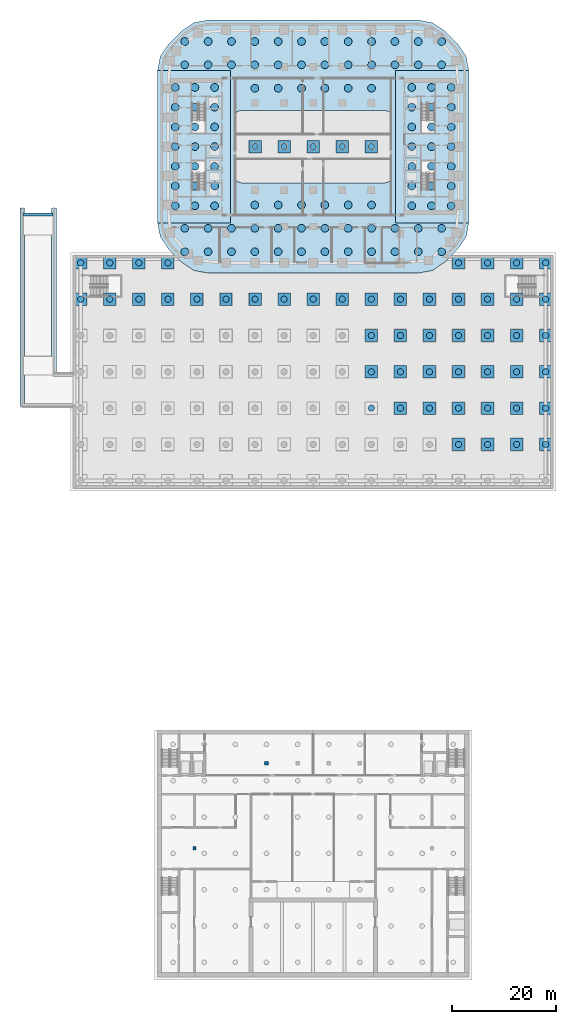
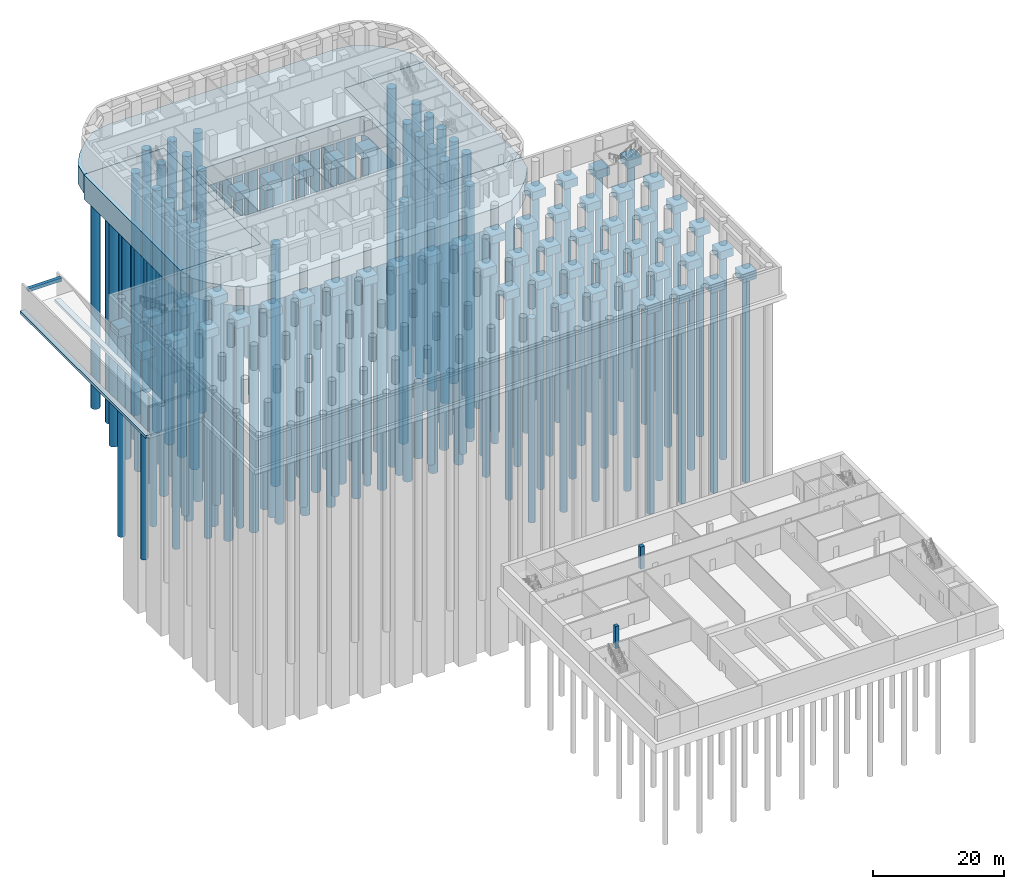
# One storey, part 2 of 23: 157 piles, 60 footings, 2 columns.
"""IFC4 building model written with IfcOpenShell, lengths in metres."""

from ifc_helpers import new_model, si_unit, direction, frame, origin, origin_2d, place, context, subcontext, project, spatial, polyline, rectangle, circle, outline, extrude, material, layer, layer_set, material_profile, profile_set, type_object, element, save


model = new_model("IFC4")

# Units and contexts
model_context = context("Model", 3, precision=1e-05, world=origin(), true_north=direction((0.0, 1.0)))
body_context = subcontext(model_context, "Body", "Model", "MODEL_VIEW")
ifc_project = project(units=[si_unit("LENGTHUNIT", "METRE"), si_unit("AREAUNIT", "SQUARE_METRE"), si_unit("VOLUMEUNIT", "CUBIC_METRE"), si_unit("PLANEANGLEUNIT", "RADIAN"), si_unit("MASSUNIT", "GRAM", prefix="KILO")], contexts=[model_context])

# Site, building, storey
site_placement = place(None, origin())
site = spatial("IfcSite", under=ifc_project, at=site_placement, CompositionType="ELEMENT")
building_placement = place(site_placement, origin())
building = spatial("IfcBuilding", under=site, at=building_placement, Name="Kiln Ring Residences", CompositionType="ELEMENT")
storey_placement = place(building_placement, frame((0.0, 0.0, -4.5)))
storey = spatial("IfcBuildingStorey", under=building, at=storey_placement, Name="B1", CompositionType="ELEMENT", Elevation=-4.5)

# Piles
ifc_material_1 = material(Name="Concrete C40/50", Category="concrete")
ifc_material_profile_1 = material_profile(ifc_material_1, circle(Radius=0.60009765625, at=origin_2d()), Name="BORED1200")
ifc_profile_set_1 = profile_set([ifc_material_profile_1], Name="Concrete C40/50")
pile_type_1 = type_object("IfcPileType", Name="Bored pile D1200 C40/50", PredefinedType="BORED", material=ifc_profile_set_1)
for number, where, z_axis, x_axis, name in (
    (1, (-44.800048828125, -29.39990234375, -1.85009765625), (0.0, 0.0, -1.0), (1.0, 0.0, 0.0), "Bored pile B1 103"),
    (2, (-39.199951171875, -29.39990234375, -1.85009765625), (0.0, 0.0, -1.0), (1.0, 0.0, 0.0), "Bored pile B1 104"),
    (3, (-33.60009765625, -29.39990234375, -1.85009765625), (0.0, 0.0, -1.0), (1.0, 0.0, 0.0), "Bored pile B1 105"),
    (4, (-28.0, -29.39990234375, -1.85009765625), (0.0, 0.0, -1.0), (1.0, 0.0, 0.0), "Bored pile B1 106"),
    (5, (-22.39990234375, -29.39990234375, -1.85009765625), (0.0, 0.0, -1.0), (1.0, 0.0, 0.0), "Bored pile B1 107"),
    (6, (-16.800048828125, -29.39990234375, -1.85009765625), (0.0, 0.0, -1.0), (1.0, 0.0, 0.0), "Bored pile B1 108"),
    (7, (-11.199951171875, -29.39990234375, -1.85009765625), (0.0, 0.0, -1.0), (1.0, 0.0, 0.0), "Bored pile B1 109"),
    (8, (-5.60009765625, -29.39990234375, -1.85009765625), (0.0, 0.0, -1.0), (1.0, 0.0, 0.0), "Bored pile B1 110"),
    (9, (0.0, -29.39990234375, -1.85009765625), (0.0, 0.0, -1.0), (1.0, 0.0, 0.0), "Bored pile B1 111"),
    (10, (5.60009765625, -29.39990234375, -1.85009765625), (0.0, 0.0, -1.0), (1.0, 0.0, 0.0), "Bored pile B1 112"),
    (11, (11.199951171875, -29.39990234375, -1.85009765625), (0.0, 0.0, -1.0), (1.0, 0.0, 0.0), "Bored pile B1 113"),
    (12, (16.800048828125, -29.39990234375, -1.85009765625), (0.0, 0.0, -1.0), (1.0, 0.0, 0.0), "Bored pile B1 114"),
    (13, (22.39990234375, -29.39990234375, -1.85009765625), (0.0, 0.0, -1.0), (1.0, 0.0, 0.0), "Bored pile B1 115"),
    (14, (28.0, -29.39990234375, -1.85009765625), (0.0, 0.0, -1.0), (1.0, 0.0, 0.0), "Bored pile B1 116"),
    (15, (33.60009765625, -29.39990234375, -1.85009765625), (0.0, 0.0, -1.0), (1.0, 0.0, 0.0), "Bored pile B1 117"),
    (16, (39.199951171875, -29.39990234375, -1.85009765625), (0.0, 0.0, -1.0), (1.0, 0.0, 0.0), "Bored pile B1 118"),
    (17, (44.800048828125, -29.39990234375, -1.85009765625), (0.0, 0.0, -1.0), (1.0, 0.0, 0.0), "Bored pile B1 119"),
    (18, (11.199951171875, -36.39990234375, -1.85009765625), (0.0, 0.0, -1.0), (1.0, 0.0, 0.0), "Bored pile B1 130"),
    (19, (16.800048828125, -36.39990234375, -1.85009765625), (0.0, 0.0, -1.0), (1.0, 0.0, 0.0), "Bored pile B1 131"),
    (20, (22.39990234375, -36.39990234375, -1.85009765625), (0.0, 0.0, -1.0), (1.0, 0.0, 0.0), "Bored pile B1 132"),
    (21, (28.0, -36.39990234375, -1.85009765625), (0.0, 0.0, -1.0), (1.0, 0.0, 0.0), "Bored pile B1 133"),
    (22, (33.60009765625, -36.39990234375, -1.85009765625), (0.0, 0.0, -1.0), (1.0, 0.0, 0.0), "Bored pile B1 134"),
    (23, (39.199951171875, -36.39990234375, -1.85009765625), (0.0, 0.0, -1.0), (1.0, 0.0, 0.0), "Bored pile B1 135"),
    (24, (44.800048828125, -36.39990234375, -1.85009765625), (0.0, 0.0, -1.0), (1.0, 0.0, 0.0), "Bored pile B1 136"),
    (25, (11.199951171875, -43.39990234375, -1.85009765625), (0.0, 0.0, -1.0), (1.0, 0.0, 0.0), "Bored pile B1 147"),
    (26, (16.800048828125, -43.39990234375, -1.85009765625), (0.0, 0.0, -1.0), (1.0, 0.0, 0.0), "Bored pile B1 148"),
    (27, (22.39990234375, -43.39990234375, -1.85009765625), (0.0, 0.0, -1.0), (1.0, 0.0, 0.0), "Bored pile B1 149"),
    (28, (28.0, -43.39990234375, -1.85009765625), (0.0, 0.0, -1.0), (1.0, 0.0, 0.0), "Bored pile B1 150"),
    (29, (33.60009765625, -43.39990234375, -1.85009765625), (0.0, 0.0, -1.0), (1.0, 0.0, 0.0), "Bored pile B1 151"),
    (30, (39.199951171875, -43.39990234375, -1.85009765625), (0.0, 0.0, -1.0), (1.0, 0.0, 0.0), "Bored pile B1 152"),
    (31, (44.800048828125, -43.39990234375, -1.85009765625), (0.0, 0.0, -1.0), (1.0, 0.0, 0.0), "Bored pile B1 153"),
    (32, (11.199951171875, -50.39990234375, -1.85009765625), (0.0, 0.0, -1.0), (1.0, 0.0, 0.0), "Bored pile B1 164"),
    (33, (16.800048828125, -50.39990234375, -1.85009765625), (0.0, 0.0, -1.0), (1.0, 0.0, 0.0), "Bored pile B1 165"),
    (34, (22.39990234375, -50.39990234375, -1.85009765625), (0.0, 0.0, -1.0), (1.0, 0.0, 0.0), "Bored pile B1 166"),
    (35, (28.0, -50.39990234375, -1.85009765625), (0.0, 0.0, -1.0), (1.0, 0.0, 0.0), "Bored pile B1 167"),
    (36, (33.60009765625, -50.39990234375, -1.85009765625), (0.0, 0.0, -1.0), (1.0, 0.0, 0.0), "Bored pile B1 168"),
    (37, (39.199951171875, -50.39990234375, -1.85009765625), (0.0, 0.0, -1.0), (1.0, 0.0, 0.0), "Bored pile B1 169"),
    (38, (44.800048828125, -50.39990234375, -1.85009765625), (0.0, 0.0, -1.0), (1.0, 0.0, 0.0), "Bored pile B1 170"),
    (39, (28.0, -57.39990234375, -1.85009765625), (0.0, 0.0, -1.0), (1.0, 0.0, 0.0), "Bored pile B1 184"),
    (40, (33.60009765625, -57.39990234375, -1.85009765625), (0.0, 0.0, -1.0), (1.0, 0.0, 0.0), "Bored pile B1 185"),
    (41, (39.199951171875, -57.39990234375, -1.85009765625), (0.0, 0.0, -1.0), (1.0, 0.0, 0.0), "Bored pile B1 186"),
    (42, (44.800048828125, -57.39990234375, -1.85009765625), (0.0, 0.0, -1.0), (1.0, 0.0, 0.0), "Bored pile B1 187"),
    (43, (-44.800048828125, -22.39990234375, -1.85009765625), (0.0, 0.0, -1.0), (1.0, 0.0, 0.0), "Bored pile B1 205"),
    (44, (-39.199951171875, -22.39990234375, -1.85009765625), (0.0, 0.0, -1.0), (1.0, 0.0, 0.0), "Bored pile B1 206"),
    (45, (-33.60009765625, -22.39990234375, -1.85009765625), (0.0, 0.0, -1.0), (1.0, 0.0, 0.0), "Bored pile B1 207"),
    (46, (-28.0, -22.39990234375, -1.85009765625), (0.0, 0.0, -1.0), (1.0, 0.0, 0.0), "Bored pile B1 208"),
    (47, (28.0, -22.39990234375, -1.85009765625), (0.0, 0.0, -1.0), (1.0, 0.0, 0.0), "Bored pile B1 209"),
    (48, (33.60009765625, -22.39990234375, -1.85009765625), (0.0, 0.0, -1.0), (1.0, 0.0, 0.0), "Bored pile B1 210"),
    (49, (39.199951171875, -22.39990234375, -1.85009765625), (0.0, 0.0, -1.0), (1.0, 0.0, 0.0), "Bored pile B1 211"),
    (50, (44.800048828125, -22.39990234375, -1.85009765625), (0.0, 0.0, -1.0), (1.0, 0.0, 0.0), "Bored pile B1 212"),
    (51, (-11.199951171875, 0.0, -1.85009765625), (0.0, 0.0, -1.0), (1.0, 0.0, 0.0), "Bored pile B1 213"),
    (52, (-5.60009765625, 0.0, -1.85009765625), (0.0, 0.0, -1.0), (1.0, 0.0, 0.0), "Bored pile B1 214"),
    (53, (0.0, 0.0, -1.85009765625), (0.0, 0.0, -1.0), (1.0, 0.0, 0.0), "Bored pile B1 215"),
    (54, (5.60009765625, 0.0, -1.85009765625), (0.0, 0.0, -1.0), (1.0, 0.0, 0.0), "Bored pile B1 216"),
    (55, (11.199951171875, 0.0, -1.85009765625), (0.0, 0.0, -1.0), (1.0, 0.0, 0.0), "Bored pile B1 217"),
):
    element("IfcPile", number, at=place(storey_placement, frame(where, z_axis=z_axis, x_axis=x_axis)), inside=storey, type_object=pile_type_1, Name=name, PredefinedType="BORED", context=body_context, shape_type="SweptSolid", body=[
        extrude(circle(Radius=0.60009765625, at=origin_2d()), origin(), (0.0, 0.0, 1.0), 38.0),
    ])
ifc_material_2 = material(Name="Concrete C40/50", Category="concrete")
ifc_material_profile_2 = material_profile(ifc_material_2, circle(Radius=0.75, at=origin_2d()), Name="BORED1500")
ifc_profile_set_2 = profile_set([ifc_material_profile_2], Name="Concrete C40/50")
pile_type_2 = type_object("IfcPileType", Name="Bored pile D1500 C40/50", PredefinedType="BORED", material=ifc_profile_set_2)
for number, where, z_axis, x_axis, name in (
    (56, (-26.60009765625, -11.39990234375, -4.85009765625), (0.0, 0.0, -1.0), (1.0, 0.0, 0.0), "Bored pile B1 1"),
    (57, (-26.60009765625, -7.60009765625, -4.85009765625), (0.0, 0.0, -1.0), (1.0, 0.0, 0.0), "Bored pile B1 2"),
    (58, (-26.60009765625, -3.800048828125, -4.85009765625), (0.0, 0.0, -1.0), (1.0, 0.0, 0.0), "Bored pile B1 3"),
    (59, (-26.60009765625, 0.0, -4.85009765625), (0.0, 0.0, -1.0), (1.0, 0.0, 0.0), "Bored pile B1 4"),
    (60, (-26.60009765625, 3.800048828125, -4.85009765625), (0.0, 0.0, -1.0), (1.0, 0.0, 0.0), "Bored pile B1 5"),
    (61, (-26.60009765625, 7.60009765625, -4.85009765625), (0.0, 0.0, -1.0), (1.0, 0.0, 0.0), "Bored pile B1 6"),
    (62, (-26.60009765625, 11.39990234375, -4.85009765625), (0.0, 0.0, -1.0), (1.0, 0.0, 0.0), "Bored pile B1 7"),
    (63, (-22.800048828125, -11.39990234375, -4.85009765625), (0.0, 0.0, -1.0), (1.0, 0.0, 0.0), "Bored pile B1 8"),
    (64, (-22.800048828125, -7.60009765625, -4.85009765625), (0.0, 0.0, -1.0), (1.0, 0.0, 0.0), "Bored pile B1 9"),
    (65, (-22.800048828125, -3.800048828125, -4.85009765625), (0.0, 0.0, -1.0), (1.0, 0.0, 0.0), "Bored pile B1 10"),
    (66, (-22.800048828125, 0.0, -4.85009765625), (0.0, 0.0, -1.0), (1.0, 0.0, 0.0), "Bored pile B1 11"),
    (67, (-22.800048828125, 3.800048828125, -4.85009765625), (0.0, 0.0, -1.0), (1.0, 0.0, 0.0), "Bored pile B1 12"),
    (68, (-22.800048828125, 7.60009765625, -4.85009765625), (0.0, 0.0, -1.0), (1.0, 0.0, 0.0), "Bored pile B1 13"),
    (69, (-22.800048828125, 11.39990234375, -4.85009765625), (0.0, 0.0, -1.0), (1.0, 0.0, 0.0), "Bored pile B1 14"),
    (70, (-19.0, -11.39990234375, -4.85009765625), (0.0, 0.0, -1.0), (1.0, 0.0, 0.0), "Bored pile B1 15"),
    (71, (-19.0, -7.60009765625, -4.85009765625), (0.0, 0.0, -1.0), (1.0, 0.0, 0.0), "Bored pile B1 16"),
    (72, (-19.0, -3.800048828125, -4.85009765625), (0.0, 0.0, -1.0), (1.0, 0.0, 0.0), "Bored pile B1 17"),
    (73, (-19.0, 0.0, -4.85009765625), (0.0, 0.0, -1.0), (1.0, 0.0, 0.0), "Bored pile B1 18"),
    (74, (-19.0, 3.800048828125, -4.85009765625), (0.0, 0.0, -1.0), (1.0, 0.0, 0.0), "Bored pile B1 19"),
    (75, (-19.0, 7.60009765625, -4.85009765625), (0.0, 0.0, -1.0), (1.0, 0.0, 0.0), "Bored pile B1 20"),
    (76, (-19.0, 11.39990234375, -4.85009765625), (0.0, 0.0, -1.0), (1.0, 0.0, 0.0), "Bored pile B1 21"),
    (77, (19.0, -11.39990234375, -4.85009765625), (0.0, 0.0, -1.0), (1.0, 0.0, 0.0), "Bored pile B1 22"),
    (78, (19.0, -7.60009765625, -4.85009765625), (0.0, 0.0, -1.0), (1.0, 0.0, 0.0), "Bored pile B1 23"),
    (79, (19.0, -3.800048828125, -4.85009765625), (0.0, 0.0, -1.0), (1.0, 0.0, 0.0), "Bored pile B1 24"),
    (80, (19.0, 0.0, -4.85009765625), (0.0, 0.0, -1.0), (1.0, 0.0, 0.0), "Bored pile B1 25"),
    (81, (19.0, 3.800048828125, -4.85009765625), (0.0, 0.0, -1.0), (1.0, 0.0, 0.0), "Bored pile B1 26"),
    (82, (19.0, 7.60009765625, -4.85009765625), (0.0, 0.0, -1.0), (1.0, 0.0, 0.0), "Bored pile B1 27"),
    (83, (19.0, 11.39990234375, -4.85009765625), (0.0, 0.0, -1.0), (1.0, 0.0, 0.0), "Bored pile B1 28"),
    (84, (22.800048828125, -11.39990234375, -4.85009765625), (0.0, 0.0, -1.0), (1.0, 0.0, 0.0), "Bored pile B1 29"),
    (85, (22.800048828125, -7.60009765625, -4.85009765625), (0.0, 0.0, -1.0), (1.0, 0.0, 0.0), "Bored pile B1 30"),
    (86, (22.800048828125, -3.800048828125, -4.85009765625), (0.0, 0.0, -1.0), (1.0, 0.0, 0.0), "Bored pile B1 31"),
    (87, (22.800048828125, 0.0, -4.85009765625), (0.0, 0.0, -1.0), (1.0, 0.0, 0.0), "Bored pile B1 32"),
    (88, (22.800048828125, 3.800048828125, -4.85009765625), (0.0, 0.0, -1.0), (1.0, 0.0, 0.0), "Bored pile B1 33"),
    (89, (22.800048828125, 7.60009765625, -4.85009765625), (0.0, 0.0, -1.0), (1.0, 0.0, 0.0), "Bored pile B1 34"),
    (90, (22.800048828125, 11.39990234375, -4.85009765625), (0.0, 0.0, -1.0), (1.0, 0.0, 0.0), "Bored pile B1 35"),
    (91, (26.60009765625, -11.39990234375, -4.85009765625), (0.0, 0.0, -1.0), (1.0, 0.0, 0.0), "Bored pile B1 36"),
    (92, (26.60009765625, -7.60009765625, -4.85009765625), (0.0, 0.0, -1.0), (1.0, 0.0, 0.0), "Bored pile B1 37"),
    (93, (26.60009765625, -3.800048828125, -4.85009765625), (0.0, 0.0, -1.0), (1.0, 0.0, 0.0), "Bored pile B1 38"),
    (94, (26.60009765625, 0.0, -4.85009765625), (0.0, 0.0, -1.0), (1.0, 0.0, 0.0), "Bored pile B1 39"),
    (95, (26.60009765625, 3.800048828125, -4.85009765625), (0.0, 0.0, -1.0), (1.0, 0.0, 0.0), "Bored pile B1 40"),
    (96, (26.60009765625, 7.60009765625, -4.85009765625), (0.0, 0.0, -1.0), (1.0, 0.0, 0.0), "Bored pile B1 41"),
    (97, (26.60009765625, 11.39990234375, -4.85009765625), (0.0, 0.0, -1.0), (1.0, 0.0, 0.0), "Bored pile B1 42"),
    (98, (-24.75, -20.25, -3.85009765625), (0.0, 0.0, -1.0), (1.0, 0.0, 0.0), "Bored pile B1 43"),
    (99, (-24.75, -15.75, -3.85009765625), (0.0, 0.0, -1.0), (1.0, 0.0, 0.0), "Bored pile B1 44"),
    (100, (-24.75, 15.75, -3.85009765625), (0.0, 0.0, -1.0), (1.0, 0.0, 0.0), "Bored pile B1 45"),
    (101, (-24.75, 20.25, -3.85009765625), (0.0, 0.0, -1.0), (1.0, 0.0, 0.0), "Bored pile B1 46"),
    (102, (-20.25, -20.25, -3.85009765625), (0.0, 0.0, -1.0), (1.0, 0.0, 0.0), "Bored pile B1 47"),
    (103, (-20.25, -15.75, -3.85009765625), (0.0, 0.0, -1.0), (1.0, 0.0, 0.0), "Bored pile B1 48"),
    (104, (-20.25, 15.75, -3.85009765625), (0.0, 0.0, -1.0), (1.0, 0.0, 0.0), "Bored pile B1 49"),
    (105, (-20.25, 20.25, -3.85009765625), (0.0, 0.0, -1.0), (1.0, 0.0, 0.0), "Bored pile B1 50"),
    (106, (-15.75, -20.25, -3.85009765625), (0.0, 0.0, -1.0), (1.0, 0.0, 0.0), "Bored pile B1 51"),
    (107, (-15.75, -15.75, -3.85009765625), (0.0, 0.0, -1.0), (1.0, 0.0, 0.0), "Bored pile B1 52"),
    (108, (-15.75, 15.75, -3.85009765625), (0.0, 0.0, -1.0), (1.0, 0.0, 0.0), "Bored pile B1 53"),
    (109, (-15.75, 20.25, -3.85009765625), (0.0, 0.0, -1.0), (1.0, 0.0, 0.0), "Bored pile B1 54"),
    (110, (-11.25, -20.25, -3.85009765625), (0.0, 0.0, -1.0), (1.0, 0.0, 0.0), "Bored pile B1 55"),
    (111, (-11.25, -15.75, -3.85009765625), (0.0, 0.0, -1.0), (1.0, 0.0, 0.0), "Bored pile B1 56"),
    (112, (-11.25, -11.25, -3.85009765625), (0.0, 0.0, -1.0), (1.0, 0.0, 0.0), "Bored pile B1 57"),
    (113, (-11.25, 11.25, -3.85009765625), (0.0, 0.0, -1.0), (1.0, 0.0, 0.0), "Bored pile B1 58"),
    (114, (-11.25, 15.75, -3.85009765625), (0.0, 0.0, -1.0), (1.0, 0.0, 0.0), "Bored pile B1 59"),
    (115, (-11.25, 20.25, -3.85009765625), (0.0, 0.0, -1.0), (1.0, 0.0, 0.0), "Bored pile B1 60"),
    (116, (-6.75, -20.25, -3.85009765625), (0.0, 0.0, -1.0), (1.0, 0.0, 0.0), "Bored pile B1 61"),
    (117, (-6.75, -15.75, -3.85009765625), (0.0, 0.0, -1.0), (1.0, 0.0, 0.0), "Bored pile B1 62"),
    (118, (-6.75, -11.25, -3.85009765625), (0.0, 0.0, -1.0), (1.0, 0.0, 0.0), "Bored pile B1 63"),
    (119, (-6.75, 11.25, -3.85009765625), (0.0, 0.0, -1.0), (1.0, 0.0, 0.0), "Bored pile B1 64"),
    (120, (-6.75, 15.75, -3.85009765625), (0.0, 0.0, -1.0), (1.0, 0.0, 0.0), "Bored pile B1 65"),
    (121, (-6.75, 20.25, -3.85009765625), (0.0, 0.0, -1.0), (1.0, 0.0, 0.0), "Bored pile B1 66"),
    (122, (-2.25, -20.25, -3.85009765625), (0.0, 0.0, -1.0), (1.0, 0.0, 0.0), "Bored pile B1 67"),
    (123, (-2.25, -15.75, -3.85009765625), (0.0, 0.0, -1.0), (1.0, 0.0, 0.0), "Bored pile B1 68"),
    (124, (-2.25, -11.25, -3.85009765625), (0.0, 0.0, -1.0), (1.0, 0.0, 0.0), "Bored pile B1 69"),
    (125, (-2.25, 11.25, -3.85009765625), (0.0, 0.0, -1.0), (1.0, 0.0, 0.0), "Bored pile B1 70"),
    (126, (-2.25, 15.75, -3.85009765625), (0.0, 0.0, -1.0), (1.0, 0.0, 0.0), "Bored pile B1 71"),
    (127, (-2.25, 20.25, -3.85009765625), (0.0, 0.0, -1.0), (1.0, 0.0, 0.0), "Bored pile B1 72"),
    (128, (2.25, -20.25, -3.85009765625), (0.0, 0.0, -1.0), (1.0, 0.0, 0.0), "Bored pile B1 73"),
    (129, (2.25, -15.75, -3.85009765625), (0.0, 0.0, -1.0), (1.0, 0.0, 0.0), "Bored pile B1 74"),
    (130, (2.25, -11.25, -3.85009765625), (0.0, 0.0, -1.0), (1.0, 0.0, 0.0), "Bored pile B1 75"),
    (131, (2.25, 11.25, -3.85009765625), (0.0, 0.0, -1.0), (1.0, 0.0, 0.0), "Bored pile B1 76"),
    (132, (2.25, 15.75, -3.85009765625), (0.0, 0.0, -1.0), (1.0, 0.0, 0.0), "Bored pile B1 77"),
    (133, (2.25, 20.25, -3.85009765625), (0.0, 0.0, -1.0), (1.0, 0.0, 0.0), "Bored pile B1 78"),
    (134, (6.75, -20.25, -3.85009765625), (0.0, 0.0, -1.0), (1.0, 0.0, 0.0), "Bored pile B1 79"),
    (135, (6.75, -15.75, -3.85009765625), (0.0, 0.0, -1.0), (1.0, 0.0, 0.0), "Bored pile B1 80"),
    (136, (6.75, -11.25, -3.85009765625), (0.0, 0.0, -1.0), (1.0, 0.0, 0.0), "Bored pile B1 81"),
    (137, (6.75, 11.25, -3.85009765625), (0.0, 0.0, -1.0), (1.0, 0.0, 0.0), "Bored pile B1 82"),
    (138, (6.75, 15.75, -3.85009765625), (0.0, 0.0, -1.0), (1.0, 0.0, 0.0), "Bored pile B1 83"),
    (139, (6.75, 20.25, -3.85009765625), (0.0, 0.0, -1.0), (1.0, 0.0, 0.0), "Bored pile B1 84"),
    (140, (11.25, -20.25, -3.85009765625), (0.0, 0.0, -1.0), (1.0, 0.0, 0.0), "Bored pile B1 85"),
    (141, (11.25, -15.75, -3.85009765625), (0.0, 0.0, -1.0), (1.0, 0.0, 0.0), "Bored pile B1 86"),
    (142, (11.25, -11.25, -3.85009765625), (0.0, 0.0, -1.0), (1.0, 0.0, 0.0), "Bored pile B1 87"),
    (143, (11.25, 11.25, -3.85009765625), (0.0, 0.0, -1.0), (1.0, 0.0, 0.0), "Bored pile B1 88"),
    (144, (11.25, 15.75, -3.85009765625), (0.0, 0.0, -1.0), (1.0, 0.0, 0.0), "Bored pile B1 89"),
    (145, (11.25, 20.25, -3.85009765625), (0.0, 0.0, -1.0), (1.0, 0.0, 0.0), "Bored pile B1 90"),
    (146, (15.75, -20.25, -3.85009765625), (0.0, 0.0, -1.0), (1.0, 0.0, 0.0), "Bored pile B1 91"),
    (147, (15.75, -15.75, -3.85009765625), (0.0, 0.0, -1.0), (1.0, 0.0, 0.0), "Bored pile B1 92"),
    (148, (15.75, 15.75, -3.85009765625), (0.0, 0.0, -1.0), (1.0, 0.0, 0.0), "Bored pile B1 93"),
    (149, (15.75, 20.25, -3.85009765625), (0.0, 0.0, -1.0), (1.0, 0.0, 0.0), "Bored pile B1 94"),
    (150, (20.25, -20.25, -3.85009765625), (0.0, 0.0, -1.0), (1.0, 0.0, 0.0), "Bored pile B1 95"),
    (151, (20.25, -15.75, -3.85009765625), (0.0, 0.0, -1.0), (1.0, 0.0, 0.0), "Bored pile B1 96"),
    (152, (20.25, 15.75, -3.85009765625), (0.0, 0.0, -1.0), (1.0, 0.0, 0.0), "Bored pile B1 97"),
    (153, (20.25, 20.25, -3.85009765625), (0.0, 0.0, -1.0), (1.0, 0.0, 0.0), "Bored pile B1 98"),
    (154, (24.75, -20.25, -3.85009765625), (0.0, 0.0, -1.0), (1.0, 0.0, 0.0), "Bored pile B1 99"),
    (155, (24.75, -15.75, -3.85009765625), (0.0, 0.0, -1.0), (1.0, 0.0, 0.0), "Bored pile B1 100"),
    (156, (24.75, 15.75, -3.85009765625), (0.0, 0.0, -1.0), (1.0, 0.0, 0.0), "Bored pile B1 101"),
    (157, (24.75, 20.25, -3.85009765625), (0.0, 0.0, -1.0), (1.0, 0.0, 0.0), "Bored pile B1 102"),
):
    element("IfcPile", number, at=place(storey_placement, frame(where, z_axis=z_axis, x_axis=x_axis)), inside=storey, type_object=pile_type_2, Name=name, PredefinedType="BORED", context=body_context, shape_type="SweptSolid", body=[
        extrude(circle(Radius=0.75, at=origin_2d()), origin(), (0.0, 0.0, 1.0), 45.0),
    ])

# Footings
ifc_material_3 = material(Name="Concrete C40/50", Category="concrete")
footing_type_1 = type_object("IfcFootingType", Name="Pile cap 2400x1500", PredefinedType="PILE_CAP", material=ifc_material_3)
for number, where, z_axis, x_axis, name in (
    (158, (-44.800048828125, -29.39990234375, -2.0), (0.0, 0.0, 1.0), (1.0, 0.0, 0.0), "Pile cap B1 1"),
    (159, (-39.199951171875, -29.39990234375, -2.0), (0.0, 0.0, 1.0), (1.0, 0.0, 0.0), "Pile cap B1 2"),
    (160, (-33.60009765625, -29.39990234375, -2.0), (0.0, 0.0, 1.0), (1.0, 0.0, 0.0), "Pile cap B1 3"),
    (161, (-28.0, -29.39990234375, -2.0), (0.0, 0.0, 1.0), (1.0, 0.0, 0.0), "Pile cap B1 4"),
    (162, (-22.39990234375, -29.39990234375, -2.0), (0.0, 0.0, 1.0), (1.0, 0.0, 0.0), "Pile cap B1 5"),
    (163, (-16.800048828125, -29.39990234375, -2.0), (0.0, 0.0, 1.0), (1.0, 0.0, 0.0), "Pile cap B1 6"),
    (164, (-11.199951171875, -29.39990234375, -2.0), (0.0, 0.0, 1.0), (1.0, 0.0, 0.0), "Pile cap B1 7"),
    (165, (-5.60009765625, -29.39990234375, -2.0), (0.0, 0.0, 1.0), (1.0, 0.0, 0.0), "Pile cap B1 8"),
    (166, (0.0, -29.39990234375, -2.0), (0.0, 0.0, 1.0), (1.0, 0.0, 0.0), "Pile cap B1 9"),
    (167, (5.60009765625, -29.39990234375, -2.0), (0.0, 0.0, 1.0), (1.0, 0.0, 0.0), "Pile cap B1 10"),
    (168, (11.199951171875, -29.39990234375, -2.0), (0.0, 0.0, 1.0), (1.0, 0.0, 0.0), "Pile cap B1 11"),
    (169, (16.800048828125, -29.39990234375, -2.0), (0.0, 0.0, 1.0), (1.0, 0.0, 0.0), "Pile cap B1 12"),
    (170, (22.39990234375, -29.39990234375, -2.0), (0.0, 0.0, 1.0), (1.0, 0.0, 0.0), "Pile cap B1 13"),
    (171, (28.0, -29.39990234375, -2.0), (0.0, 0.0, 1.0), (1.0, 0.0, 0.0), "Pile cap B1 14"),
    (172, (33.60009765625, -29.39990234375, -2.0), (0.0, 0.0, 1.0), (1.0, 0.0, 0.0), "Pile cap B1 15"),
    (173, (39.199951171875, -29.39990234375, -2.0), (0.0, 0.0, 1.0), (1.0, 0.0, 0.0), "Pile cap B1 16"),
    (174, (44.800048828125, -29.39990234375, -2.0), (0.0, 0.0, 1.0), (1.0, 0.0, 0.0), "Pile cap B1 17"),
    (175, (11.199951171875, -36.39990234375, -2.0), (0.0, 0.0, 1.0), (1.0, 0.0, 0.0), "Pile cap B1 28"),
    (176, (16.800048828125, -36.39990234375, -2.0), (0.0, 0.0, 1.0), (1.0, 0.0, 0.0), "Pile cap B1 29"),
    (177, (22.39990234375, -36.39990234375, -2.0), (0.0, 0.0, 1.0), (1.0, 0.0, 0.0), "Pile cap B1 30"),
    (178, (28.0, -36.39990234375, -2.0), (0.0, 0.0, 1.0), (1.0, 0.0, 0.0), "Pile cap B1 31"),
    (179, (33.60009765625, -36.39990234375, -2.0), (0.0, 0.0, 1.0), (1.0, 0.0, 0.0), "Pile cap B1 32"),
    (180, (39.199951171875, -36.39990234375, -2.0), (0.0, 0.0, 1.0), (1.0, 0.0, 0.0), "Pile cap B1 33"),
    (181, (44.800048828125, -36.39990234375, -2.0), (0.0, 0.0, 1.0), (1.0, 0.0, 0.0), "Pile cap B1 34"),
    (182, (11.199951171875, -43.39990234375, -2.0), (0.0, 0.0, 1.0), (1.0, 0.0, 0.0), "Pile cap B1 45"),
    (183, (16.800048828125, -43.39990234375, -2.0), (0.0, 0.0, 1.0), (1.0, 0.0, 0.0), "Pile cap B1 46"),
    (184, (22.39990234375, -43.39990234375, -2.0), (0.0, 0.0, 1.0), (1.0, 0.0, 0.0), "Pile cap B1 47"),
    (185, (28.0, -43.39990234375, -2.0), (0.0, 0.0, 1.0), (1.0, 0.0, 0.0), "Pile cap B1 48"),
    (186, (33.60009765625, -43.39990234375, -2.0), (0.0, 0.0, 1.0), (1.0, 0.0, 0.0), "Pile cap B1 49"),
    (187, (39.199951171875, -43.39990234375, -2.0), (0.0, 0.0, 1.0), (1.0, 0.0, 0.0), "Pile cap B1 50"),
    (188, (44.800048828125, -43.39990234375, -2.0), (0.0, 0.0, 1.0), (1.0, 0.0, 0.0), "Pile cap B1 51"),
    (189, (16.800048828125, -50.39990234375, -2.0), (0.0, 0.0, 1.0), (1.0, 0.0, 0.0), "Pile cap B1 63"),
    (190, (22.39990234375, -50.39990234375, -2.0), (0.0, 0.0, 1.0), (1.0, 0.0, 0.0), "Pile cap B1 64"),
    (191, (28.0, -50.39990234375, -2.0), (0.0, 0.0, 1.0), (1.0, 0.0, 0.0), "Pile cap B1 65"),
    (192, (33.60009765625, -50.39990234375, -2.0), (0.0, 0.0, 1.0), (1.0, 0.0, 0.0), "Pile cap B1 66"),
    (193, (39.199951171875, -50.39990234375, -2.0), (0.0, 0.0, 1.0), (1.0, 0.0, 0.0), "Pile cap B1 67"),
    (194, (44.800048828125, -50.39990234375, -2.0), (0.0, 0.0, 1.0), (1.0, 0.0, 0.0), "Pile cap B1 68"),
    (195, (28.0, -57.39990234375, -2.0), (0.0, 0.0, 1.0), (1.0, 0.0, 0.0), "Pile cap B1 82"),
    (196, (33.60009765625, -57.39990234375, -2.0), (0.0, 0.0, 1.0), (1.0, 0.0, 0.0), "Pile cap B1 83"),
    (197, (39.199951171875, -57.39990234375, -2.0), (0.0, 0.0, 1.0), (1.0, 0.0, 0.0), "Pile cap B1 84"),
    (198, (44.800048828125, -57.39990234375, -2.0), (0.0, 0.0, 1.0), (1.0, 0.0, 0.0), "Pile cap B1 85"),
    (199, (-44.800048828125, -22.39990234375, -2.0), (0.0, 0.0, 1.0), (1.0, 0.0, 0.0), "Pile cap B1 103"),
    (200, (-39.199951171875, -22.39990234375, -2.0), (0.0, 0.0, 1.0), (1.0, 0.0, 0.0), "Pile cap B1 104"),
    (201, (-33.60009765625, -22.39990234375, -2.0), (0.0, 0.0, 1.0), (1.0, 0.0, 0.0), "Pile cap B1 105"),
    (202, (-28.0, -22.39990234375, -2.0), (0.0, 0.0, 1.0), (1.0, 0.0, 0.0), "Pile cap B1 106"),
    (203, (28.0, -22.39990234375, -2.0), (0.0, 0.0, 1.0), (1.0, 0.0, 0.0), "Pile cap B1 107"),
    (204, (33.60009765625, -22.39990234375, -2.0), (0.0, 0.0, 1.0), (1.0, 0.0, 0.0), "Pile cap B1 108"),
    (205, (39.199951171875, -22.39990234375, -2.0), (0.0, 0.0, 1.0), (1.0, 0.0, 0.0), "Pile cap B1 109"),
    (206, (44.800048828125, -22.39990234375, -2.0), (0.0, 0.0, 1.0), (1.0, 0.0, 0.0), "Pile cap B1 110"),
    (207, (-11.199951171875, 0.0, -2.0), (0.0, 0.0, 1.0), (1.0, 0.0, 0.0), "Pile cap B1 111"),
    (208, (-5.60009765625, 0.0, -2.0), (0.0, 0.0, 1.0), (1.0, 0.0, 0.0), "Pile cap B1 112"),
    (209, (0.0, 0.0, -2.0), (0.0, 0.0, 1.0), (1.0, 0.0, 0.0), "Pile cap B1 113"),
    (210, (5.60009765625, 0.0, -2.0), (0.0, 0.0, 1.0), (1.0, 0.0, 0.0), "Pile cap B1 114"),
    (211, (11.199951171875, 0.0, -2.0), (0.0, 0.0, 1.0), (1.0, 0.0, 0.0), "Pile cap B1 115"),
):
    element("IfcFooting", number, at=place(storey_placement, frame(where, z_axis=z_axis, x_axis=x_axis)), inside=storey, type_object=footing_type_1, Name=name, PredefinedType="PILE_CAP", context=body_context, shape_type="SweptSolid", body=[
        extrude(rectangle(XDim=2.39990234375, YDim=2.39990234375, at=origin_2d()), origin(), (0.0, 0.0, 1.0), 1.5),
    ])
ifc_material_4 = material(Name="Concrete C40/50", Category="concrete")
ifc_layer_1 = layer(ifc_material_4, 3.5)
ifc_layer_set_1 = layer_set([ifc_layer_1], Name="Piled raft 3500")
footing_type_2 = type_object("IfcFootingType", Name="Piled raft 3500", PredefinedType="USERDEFINED", material=ifc_layer_set_1)
footing_1_placement = place(storey_placement, frame((0.0, 0.0, -4.0)))
element("IfcFooting", 212, at=footing_1_placement, inside=storey, type_object=footing_type_2, Name="Piled raft B1 3", ObjectType="RAFT", PredefinedType="USERDEFINED", context=body_context, shape_type="SweptSolid", body=[
    extrude(outline(polyline([(-27.850830078125, -19.777587890625), (-25.377685546875, -22.250732421875), (-23.005859375, -23.86279296875), (-20.18896484375, -24.39990234375), (20.18896484375, -24.39990234375), (23.005859375, -23.86279296875), (25.377685546875, -22.250732421875), (27.850830078125, -19.777587890625), (29.462646484375, -17.40576171875), (29.978759765625, -14.699951171875), (15.89990234375, -14.699951171875), (15.89990234375, 14.699951171875), (29.978759765625, 14.699951171875), (29.462646484375, 17.40576171875), (27.850830078125, 19.777587890625), (25.377685546875, 22.250732421875), (23.005859375, 23.86279296875), (20.18896484375, 24.39990234375), (-20.18896484375, 24.39990234375), (-23.005859375, 23.86279296875), (-25.377685546875, 22.250732421875), (-27.850830078125, 19.777587890625), (-29.462646484375, 17.40576171875), (-29.978759765625, 14.699951171875), (-15.89990234375, 14.699951171875), (-15.89990234375, -14.699951171875), (-29.978759765625, -14.699951171875), (-29.462646484375, -17.40576171875), (-27.850830078125, -19.777587890625)]), holes=[polyline([(-14.699951171875, -6.699951171875), (-15.0, -5.800048828125), (-15.0, 5.800048828125), (-14.699951171875, 6.699951171875), (-13.800048828125, 7.0), (13.800048828125, 7.0), (14.699951171875, 6.699951171875), (15.0, 5.800048828125), (15.0, -5.800048828125), (14.699951171875, -6.699951171875), (13.800048828125, -7.0), (-13.800048828125, -7.0), (-14.699951171875, -6.699951171875)])]), origin(), (0.0, 0.0, 1.0), 3.5),
])
ifc_material_5 = material(Name="Concrete C40/50", Category="concrete")
ifc_layer_2 = layer(ifc_material_5, 4.5)
ifc_layer_set_2 = layer_set([ifc_layer_2], Name="Piled raft 4500")
footing_type_3 = type_object("IfcFootingType", Name="Piled raft 4500", PredefinedType="USERDEFINED", material=ifc_layer_set_2)
placement = place(storey_placement, frame((0.0, 0.0, -5.0)))
element("IfcFooting", 213, at=placement, inside=storey, type_object=footing_type_3, Name="Piled raft B1 1", ObjectType="RAFT", PredefinedType="USERDEFINED", context=body_context, shape_type="SweptSolid", body=[
    extrude(outline(polyline([(-29.978759765625, -14.699951171875), (-15.89990234375, -14.699951171875), (-15.89990234375, 14.699951171875), (-29.978759765625, 14.699951171875), (-30.0, 14.589111328125), (-30.0, -14.589111328125), (-29.978759765625, -14.699951171875)])), origin(), (0.0, 0.0, 1.0), 4.5),
])
element("IfcFooting", 214, at=placement, inside=storey, type_object=footing_type_3, Name="Piled raft B1 2", ObjectType="RAFT", PredefinedType="USERDEFINED", context=body_context, shape_type="SweptSolid", body=[
    extrude(outline(polyline([(29.978759765625, 14.699951171875), (15.89990234375, 14.699951171875), (15.89990234375, -14.699951171875), (29.978759765625, -14.699951171875), (30.0, -14.589111328125), (30.0, 14.589111328125), (29.978759765625, 14.699951171875)])), origin(), (0.0, 0.0, 1.0), 4.5),
])
ifc_material_6 = material(Name="Concrete C30/37", Category="concrete")
footing_type_4 = type_object("IfcFootingType", Name="RAMP HEAD STRIP FOOTING 600x600", PredefinedType="STRIP_FOOTING", material=ifc_material_6)
footing_4_placement = place(storey_placement, frame((-53.0, -13.10009765625, 3.75), z_axis=(0.0, 0.0, 1.0), x_axis=(1.0, 0.0, 0.0)))
element("IfcFooting", 215, at=footing_4_placement, inside=storey, type_object=footing_type_4, Name="Ramp head strip footing", PredefinedType="STRIP_FOOTING", context=body_context, shape_type="SweptSolid", body=[
    extrude(rectangle(XDim=5.800048828125, YDim=0.60009765625, at=origin_2d()), origin(), (0.0, 0.0, 1.0), 0.60009765625),
])
ifc_material_7 = material(Name="Concrete C30/37", Category="concrete")
footing_type_5 = type_object("IfcFootingType", Name="RAMP WALL STRIP FOOTING 900x500", PredefinedType="STRIP_FOOTING", material=ifc_material_7)
footing_5_placement = place(storey_placement, frame((-56.050048828125, -30.949951171875, -1.0), z_axis=(0.0, 0.0, 1.0), x_axis=(1.0, 0.0, 0.0)))
element("IfcFooting", 216, at=footing_5_placement, inside=storey, type_object=footing_type_5, Name="Ramp wall strip footing W", PredefinedType="STRIP_FOOTING", context=body_context, shape_type="SweptSolid", body=[
    extrude(rectangle(XDim=0.89990234375, YDim=38.300048828125, at=origin_2d()), origin(), (0.0, 0.0, 1.0), 0.5),
])
footing_6_placement = place(storey_placement, frame((-49.949951171875, -27.824951171875, -1.0), z_axis=(0.0, 0.0, 1.0), x_axis=(1.0, 0.0, 0.0)))
element("IfcFooting", 217, at=footing_6_placement, inside=storey, type_object=footing_type_5, Name="Ramp wall strip footing E", PredefinedType="STRIP_FOOTING", context=body_context, shape_type="SweptSolid", body=[
    extrude(rectangle(XDim=0.89990234375, YDim=32.050048828125, at=origin_2d()), origin(), (0.0, 0.0, 1.0), 0.5),
])

# Columns
ifc_material_8 = material(Name="Concrete C40/50", Category="concrete")
ifc_material_profile_3 = material_profile(ifc_material_8, rectangle(XDim=0.60009765625, YDim=0.60009765625, at=origin_2d()), Name="Hall reinforced concrete column 600 x 600")
ifc_profile_set_3 = profile_set([ifc_material_profile_3], Name="Concrete C40/50")
column_type_1 = type_object("IfcColumnType", Name="Hall reinforced concrete column 600 x 600", PredefinedType="COLUMN", material=ifc_profile_set_3)
column_1_placement = place(storey_placement, frame((-22.89990234375, -135.199951171875, 0.0), z_axis=(0.0, 0.0, 1.0), x_axis=(1.0, 0.0, 0.0)))
element("IfcColumn", 218, at=column_1_placement, inside=storey, type_object=column_type_1, Name="Hall column B1 5", PredefinedType="COLUMN", context=body_context, shape_type="SweptSolid", body=[
    extrude(rectangle(XDim=0.60009765625, YDim=0.60009765625, at=origin_2d()), origin(), (0.0, 0.0, 1.0), 4.14990234375),
])
ifc_material_9 = material(Name="Concrete C40/50", Category="concrete")
ifc_material_profile_4 = material_profile(ifc_material_9, rectangle(XDim=0.699951171875, YDim=0.699951171875, at=origin_2d()), Name="Hall reinforced concrete column 700 x 700")
ifc_profile_set_4 = profile_set([ifc_material_profile_4], Name="Concrete C40/50")
column_type_2 = type_object("IfcColumnType", Name="Hall reinforced concrete column 700 x 700", PredefinedType="COLUMN", material=ifc_profile_set_4)
column_2_placement = place(storey_placement, frame((-9.0, -118.800048828125, 0.0), z_axis=(0.0, 0.0, 1.0), x_axis=(1.0, 0.0, 0.0)))
element("IfcColumn", 219, at=column_2_placement, inside=storey, type_object=column_type_2, Name="Hall column B1 1", PredefinedType="COLUMN", context=body_context, shape_type="SweptSolid", body=[
    extrude(rectangle(XDim=0.699951171875, YDim=0.699951171875, at=origin_2d()), origin(), (0.0, 0.0, 1.0), 4.14990234375),
])

save(model, "model.ifc")
